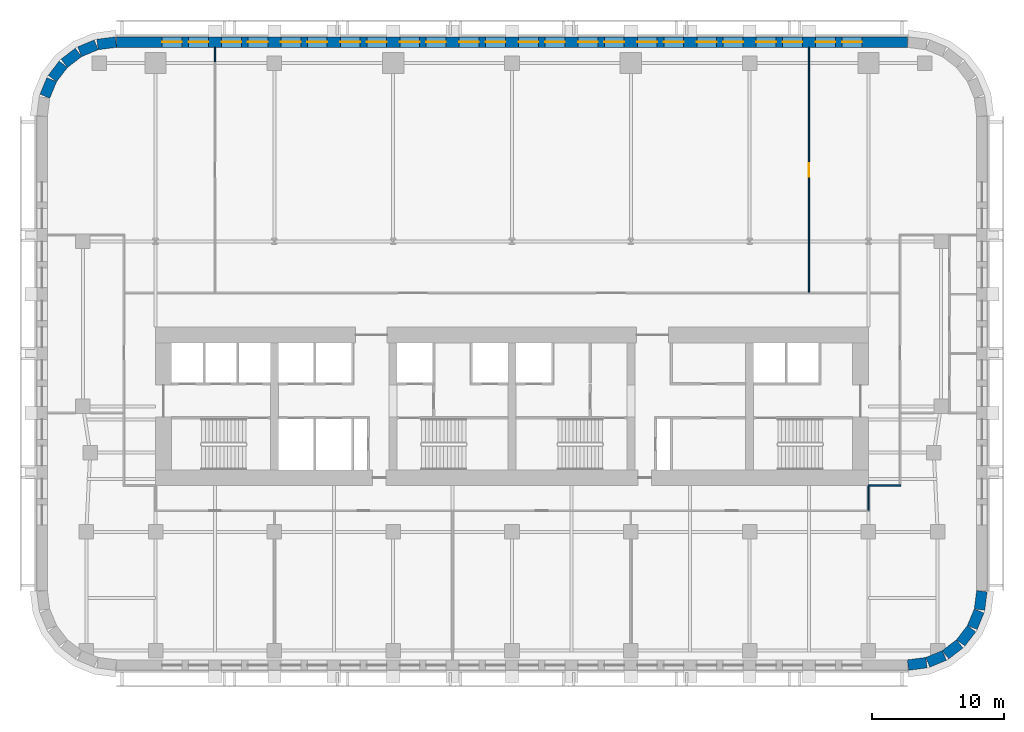
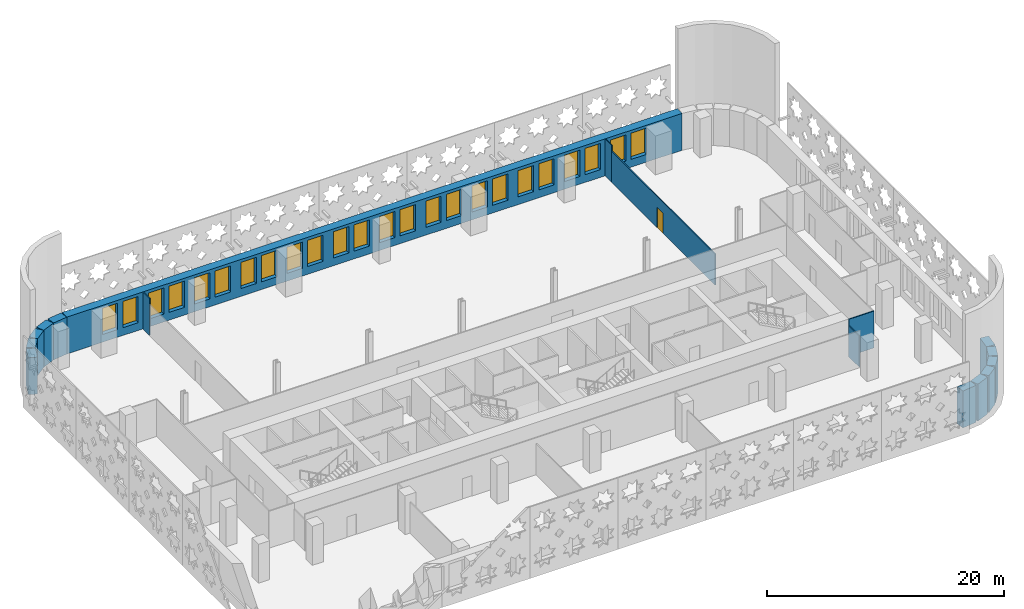
# One storey, part 6 of 13: 24 windows, 17 walls, 1 door, 25 openings.
"""IFC4 building model written with IfcOpenShell, lengths in metres."""

from ifc_helpers import new_model, si_unit, direction, frame, frame_2d, origin, place, context, subcontext, project, spatial, rectangle, extrude, material, layer, layer_set, type_object, element, fill, save


model = new_model("IFC4")

# Units and contexts
model_context = context("Model", 3, precision=1e-05, world=origin(), true_north=direction((0.0, 1.0)))
body_context = subcontext(model_context, "Body", "Model", "MODEL_VIEW")
ifc_project = project(units=[si_unit("LENGTHUNIT", "METRE"), si_unit("AREAUNIT", "SQUARE_METRE"), si_unit("VOLUMEUNIT", "CUBIC_METRE"), si_unit("PLANEANGLEUNIT", "RADIAN"), si_unit("MASSUNIT", "GRAM", prefix="KILO")], contexts=[model_context])

# Site, building, storey
site_placement = place(None, origin())
site = spatial("IfcSite", under=ifc_project, at=site_placement, CompositionType="ELEMENT")
building_placement = place(site_placement, origin())
building = spatial("IfcBuilding", under=site, at=building_placement, Name="Zellij Exchange Tower", CompositionType="ELEMENT")
storey_placement = place(building_placement, frame((0.0, 0.0, 52.5)))
storey = spatial("IfcBuildingStorey", under=building, at=storey_placement, Name="L09", CompositionType="ELEMENT", Elevation=52.5)

# Walls
ifc_material_1 = material(Name="Precast concrete C40/50", Category="concrete")
ifc_layer_1 = layer(ifc_material_1, 0.800048828125)
ifc_layer_set_1 = layer_set([ifc_layer_1], Name="Precast concrete C40/50")
wall_type_1 = type_object("IfcWallType", Name="ENV-EW1 Precast stone-piered wall 800", PredefinedType="SOLIDWALL", material=ifc_layer_set_1)
wall_1_placement = place(storey_placement, frame((29.999755859375, -27.5966796875, 0.0), z_axis=(0.0, 0.0, 1.0), x_axis=(0.99144603414, 0.130517283865, 0.0)))
element("IfcWall", 1, at=wall_1_placement, inside=storey, type_object=wall_type_1, Name="fac.L09.01", PredefinedType="SOLIDWALL", context=body_context, shape_type="SweptSolid", body=[
    extrude(rectangle(XDim=1.408447265625, YDim=0.800048828125, at=frame_2d((0.7041015625, 0.0))), origin(), (0.0, 0.0, 1.0), 3.800048828125),
])
wall_2_placement = place(storey_placement, frame((31.497314453125, -27.3857421875, 0.0), z_axis=(0.0, 0.0, 1.0), x_axis=(0.923847774587, 0.38276009378, 0.0)))
element("IfcWall", 2, at=wall_2_placement, inside=storey, type_object=wall_type_1, Name="fac.L09.02", PredefinedType="SOLIDWALL", context=body_context, shape_type="SweptSolid", body=[
    extrude(rectangle(XDim=1.35546875, YDim=0.800048828125, at=frame_2d((0.677734375, 0.0))), origin(), (0.0, 0.0, 1.0), 3.800048828125),
])
for number, where, z_axis, x_axis, name in (
    (3, (32.840087890625, -26.814697265625, 0.0), (0.0, 0.0, 1.0), (0.793272915452, 0.608866226366, 0.0), "fac.L09.03"),
    (4, (33.9892578125, -25.91552734375, 0.0), (0.0, 0.0, 1.0), (0.608866226366, 0.793272915452, 0.0), "fac.L09.04"),
):
    element("IfcWall", number, at=place(storey_placement, frame(where, z_axis=z_axis, x_axis=x_axis)), inside=storey, type_object=wall_type_1, Name=name, PredefinedType="SOLIDWALL", context=body_context, shape_type="SweptSolid", body=[
        extrude(rectangle(XDim=1.355712890625, YDim=0.800048828125, at=frame_2d((0.677734375, 0.0))), origin(), (0.0, 0.0, 1.0), 3.800048828125),
    ])
wall_3_placement = place(storey_placement, frame((34.866943359375, -24.74951171875, 0.0), z_axis=(0.0, 0.0, 1.0), x_axis=(0.38276009378, 0.923847774587, 0.0)))
element("IfcWall", 5, at=wall_3_placement, inside=storey, type_object=wall_type_1, Name="fac.L09.05", PredefinedType="SOLIDWALL", context=body_context, shape_type="SweptSolid", body=[
    extrude(rectangle(XDim=1.35546875, YDim=0.800048828125, at=frame_2d((0.677734375, 0.0))), origin(), (0.0, 0.0, 1.0), 3.800048828125),
])
wall_4_placement = place(storey_placement, frame((35.412841796875, -23.396240234375, 0.0), z_axis=(0.0, 0.0, 1.0), x_axis=(0.130517283865, 0.99144603414, 0.0)))
element("IfcWall", 6, at=wall_4_placement, inside=storey, type_object=wall_type_1, Name="fac.L09.06", PredefinedType="SOLIDWALL", context=body_context, shape_type="SweptSolid", body=[
    extrude(rectangle(XDim=1.408447265625, YDim=0.800048828125, at=frame_2d((0.7041015625, 0.0))), origin(), (0.0, 0.0, 1.0), 3.800048828125),
])

# Wall, openings, windows
wall_5_placement = place(storey_placement, frame((29.947509765625, 19.60009765625, 0.0), z_axis=(0.0, 0.0, 1.0), x_axis=(-1.0, 0.0, 0.0)))
wall_5 = element("IfcWall", 7, at=wall_5_placement, inside=storey, type_object=wall_type_1, Name="fac.L09.14", PredefinedType="SOLIDWALL", context=body_context, shape_type="SweptSolid", body=[
    extrude(rectangle(XDim=59.89501953125, YDim=0.800048828125, at=frame_2d((29.947509765625, 0.0))), origin(), (0.0, 0.0, 1.0), 3.800048828125),
])
opening_1_placement = place(wall_5_placement, frame((3.447509765625, 0.0, 0.800048828125)))
opening_1 = element("IfcOpeningElement", 8, at=opening_1_placement, cuts=wall_5, Name="Opening FZ1.37", PredefinedType="OPENING", context=body_context, shape_type="SweptSolid", body=[
    extrude(rectangle(XDim=1.5, YDim=2.699951171875, at=frame_2d((0.75, 1.35009765625))), frame((0.0, 0.412109375, 0.0), z_axis=(0.0, -1.0, 0.0), x_axis=(1.0, 0.0, 0.0)), (0.0, 0.0, 1.0), 0.823974609375),
])
opening_2_placement = place(wall_5_placement, frame((5.447509765625, 0.0, 0.800048828125)))
opening_2 = element("IfcOpeningElement", 9, at=opening_2_placement, cuts=wall_5, Name="Opening FZ1.38", PredefinedType="OPENING", context=body_context, shape_type="SweptSolid", body=[
    extrude(rectangle(XDim=1.5, YDim=2.699951171875, at=frame_2d((0.75, 1.35009765625))), frame((0.0, 0.412109375, 0.0), z_axis=(0.0, -1.0, 0.0), x_axis=(1.0, 0.0, 0.0)), (0.0, 0.0, 1.0), 0.823974609375),
])
opening_3_placement = place(wall_5_placement, frame((7.947509765625, 0.0, 0.800048828125)))
opening_3 = element("IfcOpeningElement", 10, at=opening_3_placement, cuts=wall_5, Name="Opening FZ1.39", PredefinedType="OPENING", context=body_context, shape_type="SweptSolid", body=[
    extrude(rectangle(XDim=1.5, YDim=2.699951171875, at=frame_2d((0.75, 1.35009765625))), frame((0.0, 0.412109375, 0.0), z_axis=(0.0, -1.0, 0.0), x_axis=(1.0, 0.0, 0.0)), (0.0, 0.0, 1.0), 0.823974609375),
])
opening_4_placement = place(wall_5_placement, frame((9.947509765625, 0.0, 0.800048828125)))
opening_4 = element("IfcOpeningElement", 11, at=opening_4_placement, cuts=wall_5, Name="Opening FZ1.40", PredefinedType="OPENING", context=body_context, shape_type="SweptSolid", body=[
    extrude(rectangle(XDim=1.5, YDim=2.699951171875, at=frame_2d((0.75, 1.35009765625))), frame((0.0, 0.412109375, 0.0), z_axis=(0.0, -1.0, 0.0), x_axis=(1.0, 0.0, 0.0)), (0.0, 0.0, 1.0), 0.823974609375),
])
opening_5_placement = place(wall_5_placement, frame((12.447509765625, 0.0, 0.800048828125)))
opening_5 = element("IfcOpeningElement", 12, at=opening_5_placement, cuts=wall_5, Name="Opening FZ1.41", PredefinedType="OPENING", context=body_context, shape_type="SweptSolid", body=[
    extrude(rectangle(XDim=1.5, YDim=2.699951171875, at=frame_2d((0.75, 1.35009765625))), frame((0.0, 0.412109375, 0.0), z_axis=(0.0, -1.0, 0.0), x_axis=(1.0, 0.0, 0.0)), (0.0, 0.0, 1.0), 0.823974609375),
])
opening_6_placement = place(wall_5_placement, frame((14.447509765625, 0.0, 0.800048828125)))
opening_6 = element("IfcOpeningElement", 13, at=opening_6_placement, cuts=wall_5, Name="Opening FZ1.42", PredefinedType="OPENING", context=body_context, shape_type="SweptSolid", body=[
    extrude(rectangle(XDim=1.5, YDim=2.699951171875, at=frame_2d((0.75, 1.35009765625))), frame((0.0, 0.412109375, 0.0), z_axis=(0.0, -1.0, 0.0), x_axis=(1.0, 0.0, 0.0)), (0.0, 0.0, 1.0), 0.823974609375),
])
opening_7_placement = place(wall_5_placement, frame((16.947509765625, 0.0, 0.800048828125)))
opening_7 = element("IfcOpeningElement", 14, at=opening_7_placement, cuts=wall_5, Name="Opening FZ1.43", PredefinedType="OPENING", context=body_context, shape_type="SweptSolid", body=[
    extrude(rectangle(XDim=1.5, YDim=2.699951171875, at=frame_2d((0.75, 1.35009765625))), frame((0.0, 0.412109375, 0.0), z_axis=(0.0, -1.0, 0.0), x_axis=(1.0, 0.0, 0.0)), (0.0, 0.0, 1.0), 0.823974609375),
])
opening_8_placement = place(wall_5_placement, frame((18.947509765625, 0.0, 0.800048828125)))
opening_8 = element("IfcOpeningElement", 15, at=opening_8_placement, cuts=wall_5, Name="Opening FZ1.44", PredefinedType="OPENING", context=body_context, shape_type="SweptSolid", body=[
    extrude(rectangle(XDim=1.5, YDim=2.699951171875, at=frame_2d((0.75, 1.35009765625))), frame((0.0, 0.412109375, 0.0), z_axis=(0.0, -1.0, 0.0), x_axis=(1.0, 0.0, 0.0)), (0.0, 0.0, 1.0), 0.823974609375),
])
opening_9_placement = place(wall_5_placement, frame((21.447509765625, 0.0, 0.800048828125)))
opening_9 = element("IfcOpeningElement", 16, at=opening_9_placement, cuts=wall_5, Name="Opening FZ1.45", PredefinedType="OPENING", context=body_context, shape_type="SweptSolid", body=[
    extrude(rectangle(XDim=1.5, YDim=2.699951171875, at=frame_2d((0.75, 1.35009765625))), frame((0.0, 0.412109375, 0.0), z_axis=(0.0, -1.0, 0.0), x_axis=(1.0, 0.0, 0.0)), (0.0, 0.0, 1.0), 0.823974609375),
])
opening_10_placement = place(wall_5_placement, frame((23.447509765625, 0.0, 0.800048828125)))
opening_10 = element("IfcOpeningElement", 17, at=opening_10_placement, cuts=wall_5, Name="Opening FZ1.46", PredefinedType="OPENING", context=body_context, shape_type="SweptSolid", body=[
    extrude(rectangle(XDim=1.5, YDim=2.699951171875, at=frame_2d((0.75, 1.35009765625))), frame((0.0, 0.412109375, 0.0), z_axis=(0.0, -1.0, 0.0), x_axis=(1.0, 0.0, 0.0)), (0.0, 0.0, 1.0), 0.823974609375),
])
opening_11_placement = place(wall_5_placement, frame((25.947509765625, 0.0, 0.800048828125)))
opening_11 = element("IfcOpeningElement", 18, at=opening_11_placement, cuts=wall_5, Name="Opening FZ1.47", PredefinedType="OPENING", context=body_context, shape_type="SweptSolid", body=[
    extrude(rectangle(XDim=1.5, YDim=2.699951171875, at=frame_2d((0.75, 1.35009765625))), frame((0.0, 0.412109375, 0.0), z_axis=(0.0, -1.0, 0.0), x_axis=(1.0, 0.0, 0.0)), (0.0, 0.0, 1.0), 0.823974609375),
])
opening_12_placement = place(wall_5_placement, frame((27.947509765625, 0.0, 0.800048828125)))
opening_12 = element("IfcOpeningElement", 19, at=opening_12_placement, cuts=wall_5, Name="Opening FZ1.48", PredefinedType="OPENING", context=body_context, shape_type="SweptSolid", body=[
    extrude(rectangle(XDim=1.5, YDim=2.699951171875, at=frame_2d((0.75, 1.35009765625))), frame((0.0, 0.412109375, 0.0), z_axis=(0.0, -1.0, 0.0), x_axis=(1.0, 0.0, 0.0)), (0.0, 0.0, 1.0), 0.823974609375),
])
opening_13_placement = place(wall_5_placement, frame((30.447509765625, 0.0, 0.800048828125)))
opening_13 = element("IfcOpeningElement", 20, at=opening_13_placement, cuts=wall_5, Name="Opening FZ1.49", PredefinedType="OPENING", context=body_context, shape_type="SweptSolid", body=[
    extrude(rectangle(XDim=1.5, YDim=2.699951171875, at=frame_2d((0.75, 1.35009765625))), frame((0.0, 0.412109375, 0.0), z_axis=(0.0, -1.0, 0.0), x_axis=(1.0, 0.0, 0.0)), (0.0, 0.0, 1.0), 0.823974609375),
])
opening_14_placement = place(wall_5_placement, frame((32.447509765625, 0.0, 0.800048828125)))
opening_14 = element("IfcOpeningElement", 21, at=opening_14_placement, cuts=wall_5, Name="Opening FZ1.50", PredefinedType="OPENING", context=body_context, shape_type="SweptSolid", body=[
    extrude(rectangle(XDim=1.5, YDim=2.699951171875, at=frame_2d((0.75, 1.35009765625))), frame((0.0, 0.412109375, 0.0), z_axis=(0.0, -1.0, 0.0), x_axis=(1.0, 0.0, 0.0)), (0.0, 0.0, 1.0), 0.823974609375),
])
opening_15_placement = place(wall_5_placement, frame((34.947509765625, 0.0, 0.800048828125)))
opening_15 = element("IfcOpeningElement", 22, at=opening_15_placement, cuts=wall_5, Name="Opening FZ1.51", PredefinedType="OPENING", context=body_context, shape_type="SweptSolid", body=[
    extrude(rectangle(XDim=1.5, YDim=2.699951171875, at=frame_2d((0.75, 1.35009765625))), frame((0.0, 0.412109375, 0.0), z_axis=(0.0, -1.0, 0.0), x_axis=(1.0, 0.0, 0.0)), (0.0, 0.0, 1.0), 0.823974609375),
])
opening_16_placement = place(wall_5_placement, frame((36.947509765625, 0.0, 0.800048828125)))
opening_16 = element("IfcOpeningElement", 23, at=opening_16_placement, cuts=wall_5, Name="Opening FZ1.52", PredefinedType="OPENING", context=body_context, shape_type="SweptSolid", body=[
    extrude(rectangle(XDim=1.5, YDim=2.699951171875, at=frame_2d((0.75, 1.35009765625))), frame((0.0, 0.412109375, 0.0), z_axis=(0.0, -1.0, 0.0), x_axis=(1.0, 0.0, 0.0)), (0.0, 0.0, 1.0), 0.823974609375),
])
opening_17_placement = place(wall_5_placement, frame((39.447509765625, 0.0, 0.800048828125)))
opening_17 = element("IfcOpeningElement", 24, at=opening_17_placement, cuts=wall_5, Name="Opening FZ1.53", PredefinedType="OPENING", context=body_context, shape_type="SweptSolid", body=[
    extrude(rectangle(XDim=1.5, YDim=2.699951171875, at=frame_2d((0.75, 1.35009765625))), frame((0.0, 0.412109375, 0.0), z_axis=(0.0, -1.0, 0.0), x_axis=(1.0, 0.0, 0.0)), (0.0, 0.0, 1.0), 0.823974609375),
])
opening_18_placement = place(wall_5_placement, frame((41.447509765625, 0.0, 0.800048828125)))
opening_18 = element("IfcOpeningElement", 25, at=opening_18_placement, cuts=wall_5, Name="Opening FZ1.54", PredefinedType="OPENING", context=body_context, shape_type="SweptSolid", body=[
    extrude(rectangle(XDim=1.5, YDim=2.699951171875, at=frame_2d((0.75, 1.35009765625))), frame((0.0, 0.412109375, 0.0), z_axis=(0.0, -1.0, 0.0), x_axis=(1.0, 0.0, 0.0)), (0.0, 0.0, 1.0), 0.823974609375),
])
opening_19_placement = place(wall_5_placement, frame((43.947509765625, 0.0, 0.800048828125)))
opening_19 = element("IfcOpeningElement", 26, at=opening_19_placement, cuts=wall_5, Name="Opening FZ1.55", PredefinedType="OPENING", context=body_context, shape_type="SweptSolid", body=[
    extrude(rectangle(XDim=1.5, YDim=2.699951171875, at=frame_2d((0.75, 1.35009765625))), frame((0.0, 0.412109375, 0.0), z_axis=(0.0, -1.0, 0.0), x_axis=(1.0, 0.0, 0.0)), (0.0, 0.0, 1.0), 0.823974609375),
])
opening_20_placement = place(wall_5_placement, frame((45.947509765625, 0.0, 0.800048828125)))
opening_20 = element("IfcOpeningElement", 27, at=opening_20_placement, cuts=wall_5, Name="Opening FZ1.56", PredefinedType="OPENING", context=body_context, shape_type="SweptSolid", body=[
    extrude(rectangle(XDim=1.5, YDim=2.699951171875, at=frame_2d((0.75, 1.35009765625))), frame((0.0, 0.412109375, 0.0), z_axis=(0.0, -1.0, 0.0), x_axis=(1.0, 0.0, 0.0)), (0.0, 0.0, 1.0), 0.823974609375),
])
opening_21_placement = place(wall_5_placement, frame((48.447509765625, 0.0, 0.800048828125)))
opening_21 = element("IfcOpeningElement", 28, at=opening_21_placement, cuts=wall_5, Name="Opening FZ1.57", PredefinedType="OPENING", context=body_context, shape_type="SweptSolid", body=[
    extrude(rectangle(XDim=1.5, YDim=2.699951171875, at=frame_2d((0.75, 1.35009765625))), frame((0.0, 0.412109375, 0.0), z_axis=(0.0, -1.0, 0.0), x_axis=(1.0, 0.0, 0.0)), (0.0, 0.0, 1.0), 0.823974609375),
])
opening_22_placement = place(wall_5_placement, frame((50.447509765625, 0.0, 0.800048828125)))
opening_22 = element("IfcOpeningElement", 29, at=opening_22_placement, cuts=wall_5, Name="Opening FZ1.58", PredefinedType="OPENING", context=body_context, shape_type="SweptSolid", body=[
    extrude(rectangle(XDim=1.5, YDim=2.699951171875, at=frame_2d((0.75, 1.35009765625))), frame((0.0, 0.412109375, 0.0), z_axis=(0.0, -1.0, 0.0), x_axis=(1.0, 0.0, 0.0)), (0.0, 0.0, 1.0), 0.823974609375),
])
opening_23_placement = place(wall_5_placement, frame((52.947509765625, 0.0, 0.800048828125)))
opening_23 = element("IfcOpeningElement", 30, at=opening_23_placement, cuts=wall_5, Name="Opening FZ1.59", PredefinedType="OPENING", context=body_context, shape_type="SweptSolid", body=[
    extrude(rectangle(XDim=1.5, YDim=2.699951171875, at=frame_2d((0.75, 1.35009765625))), frame((0.0, 0.412109375, 0.0), z_axis=(0.0, -1.0, 0.0), x_axis=(1.0, 0.0, 0.0)), (0.0, 0.0, 1.0), 0.823974609375),
])
opening_24_placement = place(wall_5_placement, frame((54.947509765625, 0.0, 0.800048828125)))
opening_24 = element("IfcOpeningElement", 31, at=opening_24_placement, cuts=wall_5, Name="Opening FZ1.60", PredefinedType="OPENING", context=body_context, shape_type="SweptSolid", body=[
    extrude(rectangle(XDim=1.5, YDim=2.699951171875, at=frame_2d((0.75, 1.35009765625))), frame((0.0, 0.412109375, 0.0), z_axis=(0.0, -1.0, 0.0), x_axis=(1.0, 0.0, 0.0)), (0.0, 0.0, 1.0), 0.823974609375),
])
ifc_material_2 = material(Name="Aluminium frame with insulating glass", Category="aluminium")
window_type = type_object("IfcWindowType", Name="ENV-W6 Window 1500x2700", PartitioningType="SINGLE_PANEL", PredefinedType="WINDOW", material=ifc_material_2)
window_1_placement = place(opening_1_placement, origin())
window_1 = element("IfcWindow", 32, at=window_1_placement, inside=storey, type_object=window_type, Name="Window FZ1.37", OverallHeight=2.699951171875, OverallWidth=1.5, PartitioningType="SINGLE_PANEL", PredefinedType="WINDOW", context=body_context, shape_type="SweptSolid", body=[
    extrude(rectangle(XDim=1.5, YDim=2.699951171875, at=frame_2d((0.75, 1.35009765625))), frame((0.0, 0.030029296875, 0.0), z_axis=(0.0, -1.0, 0.0), x_axis=(1.0, 0.0, 0.0)), (0.0, 0.0, 1.0), 0.06005859375),
])
fill(opening_1, window_1)
window_2_placement = place(opening_2_placement, origin())
window_2 = element("IfcWindow", 33, at=window_2_placement, inside=storey, type_object=window_type, Name="Window FZ1.38", OverallHeight=2.699951171875, OverallWidth=1.5, PartitioningType="SINGLE_PANEL", PredefinedType="WINDOW", context=body_context, shape_type="SweptSolid", body=[
    extrude(rectangle(XDim=1.5, YDim=2.699951171875, at=frame_2d((0.75, 1.35009765625))), frame((0.0, 0.030029296875, 0.0), z_axis=(0.0, -1.0, 0.0), x_axis=(1.0, 0.0, 0.0)), (0.0, 0.0, 1.0), 0.06005859375),
])
fill(opening_2, window_2)
window_3_placement = place(opening_3_placement, origin())
window_3 = element("IfcWindow", 34, at=window_3_placement, inside=storey, type_object=window_type, Name="Window FZ1.39", OverallHeight=2.699951171875, OverallWidth=1.5, PartitioningType="SINGLE_PANEL", PredefinedType="WINDOW", context=body_context, shape_type="SweptSolid", body=[
    extrude(rectangle(XDim=1.5, YDim=2.699951171875, at=frame_2d((0.75, 1.35009765625))), frame((0.0, 0.030029296875, 0.0), z_axis=(0.0, -1.0, 0.0), x_axis=(1.0, 0.0, 0.0)), (0.0, 0.0, 1.0), 0.06005859375),
])
fill(opening_3, window_3)
window_4_placement = place(opening_4_placement, origin())
window_4 = element("IfcWindow", 35, at=window_4_placement, inside=storey, type_object=window_type, Name="Window FZ1.40", OverallHeight=2.699951171875, OverallWidth=1.5, PartitioningType="SINGLE_PANEL", PredefinedType="WINDOW", context=body_context, shape_type="SweptSolid", body=[
    extrude(rectangle(XDim=1.5, YDim=2.699951171875, at=frame_2d((0.75, 1.35009765625))), frame((0.0, 0.030029296875, 0.0), z_axis=(0.0, -1.0, 0.0), x_axis=(1.0, 0.0, 0.0)), (0.0, 0.0, 1.0), 0.06005859375),
])
fill(opening_4, window_4)
window_5_placement = place(opening_5_placement, origin())
window_5 = element("IfcWindow", 36, at=window_5_placement, inside=storey, type_object=window_type, Name="Window FZ1.41", OverallHeight=2.699951171875, OverallWidth=1.5, PartitioningType="SINGLE_PANEL", PredefinedType="WINDOW", context=body_context, shape_type="SweptSolid", body=[
    extrude(rectangle(XDim=1.5, YDim=2.699951171875, at=frame_2d((0.75, 1.35009765625))), frame((0.0, 0.030029296875, 0.0), z_axis=(0.0, -1.0, 0.0), x_axis=(1.0, 0.0, 0.0)), (0.0, 0.0, 1.0), 0.06005859375),
])
fill(opening_5, window_5)
window_6_placement = place(opening_6_placement, origin())
window_6 = element("IfcWindow", 37, at=window_6_placement, inside=storey, type_object=window_type, Name="Window FZ1.42", OverallHeight=2.699951171875, OverallWidth=1.5, PartitioningType="SINGLE_PANEL", PredefinedType="WINDOW", context=body_context, shape_type="SweptSolid", body=[
    extrude(rectangle(XDim=1.5, YDim=2.699951171875, at=frame_2d((0.75, 1.35009765625))), frame((0.0, 0.030029296875, 0.0), z_axis=(0.0, -1.0, 0.0), x_axis=(1.0, 0.0, 0.0)), (0.0, 0.0, 1.0), 0.06005859375),
])
fill(opening_6, window_6)
window_7_placement = place(opening_7_placement, origin())
window_7 = element("IfcWindow", 38, at=window_7_placement, inside=storey, type_object=window_type, Name="Window FZ1.43", OverallHeight=2.699951171875, OverallWidth=1.5, PartitioningType="SINGLE_PANEL", PredefinedType="WINDOW", context=body_context, shape_type="SweptSolid", body=[
    extrude(rectangle(XDim=1.5, YDim=2.699951171875, at=frame_2d((0.75, 1.35009765625))), frame((0.0, 0.030029296875, 0.0), z_axis=(0.0, -1.0, 0.0), x_axis=(1.0, 0.0, 0.0)), (0.0, 0.0, 1.0), 0.06005859375),
])
fill(opening_7, window_7)
window_8_placement = place(opening_8_placement, origin())
window_8 = element("IfcWindow", 39, at=window_8_placement, inside=storey, type_object=window_type, Name="Window FZ1.44", OverallHeight=2.699951171875, OverallWidth=1.5, PartitioningType="SINGLE_PANEL", PredefinedType="WINDOW", context=body_context, shape_type="SweptSolid", body=[
    extrude(rectangle(XDim=1.5, YDim=2.699951171875, at=frame_2d((0.75, 1.35009765625))), frame((0.0, 0.030029296875, 0.0), z_axis=(0.0, -1.0, 0.0), x_axis=(1.0, 0.0, 0.0)), (0.0, 0.0, 1.0), 0.06005859375),
])
fill(opening_8, window_8)
window_9_placement = place(opening_9_placement, origin())
window_9 = element("IfcWindow", 40, at=window_9_placement, inside=storey, type_object=window_type, Name="Window FZ1.45", OverallHeight=2.699951171875, OverallWidth=1.5, PartitioningType="SINGLE_PANEL", PredefinedType="WINDOW", context=body_context, shape_type="SweptSolid", body=[
    extrude(rectangle(XDim=1.5, YDim=2.699951171875, at=frame_2d((0.75, 1.35009765625))), frame((0.0, 0.030029296875, 0.0), z_axis=(0.0, -1.0, 0.0), x_axis=(1.0, 0.0, 0.0)), (0.0, 0.0, 1.0), 0.06005859375),
])
fill(opening_9, window_9)
window_10_placement = place(opening_10_placement, origin())
window_10 = element("IfcWindow", 41, at=window_10_placement, inside=storey, type_object=window_type, Name="Window FZ1.46", OverallHeight=2.699951171875, OverallWidth=1.5, PartitioningType="SINGLE_PANEL", PredefinedType="WINDOW", context=body_context, shape_type="SweptSolid", body=[
    extrude(rectangle(XDim=1.5, YDim=2.699951171875, at=frame_2d((0.75, 1.35009765625))), frame((0.0, 0.030029296875, 0.0), z_axis=(0.0, -1.0, 0.0), x_axis=(1.0, 0.0, 0.0)), (0.0, 0.0, 1.0), 0.06005859375),
])
fill(opening_10, window_10)
window_11_placement = place(opening_11_placement, origin())
window_11 = element("IfcWindow", 42, at=window_11_placement, inside=storey, type_object=window_type, Name="Window FZ1.47", OverallHeight=2.699951171875, OverallWidth=1.5, PartitioningType="SINGLE_PANEL", PredefinedType="WINDOW", context=body_context, shape_type="SweptSolid", body=[
    extrude(rectangle(XDim=1.5, YDim=2.699951171875, at=frame_2d((0.75, 1.35009765625))), frame((0.0, 0.030029296875, 0.0), z_axis=(0.0, -1.0, 0.0), x_axis=(1.0, 0.0, 0.0)), (0.0, 0.0, 1.0), 0.06005859375),
])
fill(opening_11, window_11)
window_12_placement = place(opening_12_placement, origin())
window_12 = element("IfcWindow", 43, at=window_12_placement, inside=storey, type_object=window_type, Name="Window FZ1.48", OverallHeight=2.699951171875, OverallWidth=1.5, PartitioningType="SINGLE_PANEL", PredefinedType="WINDOW", context=body_context, shape_type="SweptSolid", body=[
    extrude(rectangle(XDim=1.5, YDim=2.699951171875, at=frame_2d((0.75, 1.35009765625))), frame((0.0, 0.030029296875, 0.0), z_axis=(0.0, -1.0, 0.0), x_axis=(1.0, 0.0, 0.0)), (0.0, 0.0, 1.0), 0.06005859375),
])
fill(opening_12, window_12)
window_13_placement = place(opening_13_placement, origin())
window_13 = element("IfcWindow", 44, at=window_13_placement, inside=storey, type_object=window_type, Name="Window FZ1.49", OverallHeight=2.699951171875, OverallWidth=1.5, PartitioningType="SINGLE_PANEL", PredefinedType="WINDOW", context=body_context, shape_type="SweptSolid", body=[
    extrude(rectangle(XDim=1.5, YDim=2.699951171875, at=frame_2d((0.75, 1.35009765625))), frame((0.0, 0.030029296875, 0.0), z_axis=(0.0, -1.0, 0.0), x_axis=(1.0, 0.0, 0.0)), (0.0, 0.0, 1.0), 0.06005859375),
])
fill(opening_13, window_13)
window_14_placement = place(opening_14_placement, origin())
window_14 = element("IfcWindow", 45, at=window_14_placement, inside=storey, type_object=window_type, Name="Window FZ1.50", OverallHeight=2.699951171875, OverallWidth=1.5, PartitioningType="SINGLE_PANEL", PredefinedType="WINDOW", context=body_context, shape_type="SweptSolid", body=[
    extrude(rectangle(XDim=1.5, YDim=2.699951171875, at=frame_2d((0.75, 1.35009765625))), frame((0.0, 0.030029296875, 0.0), z_axis=(0.0, -1.0, 0.0), x_axis=(1.0, 0.0, 0.0)), (0.0, 0.0, 1.0), 0.06005859375),
])
fill(opening_14, window_14)
window_15_placement = place(opening_15_placement, origin())
window_15 = element("IfcWindow", 46, at=window_15_placement, inside=storey, type_object=window_type, Name="Window FZ1.51", OverallHeight=2.699951171875, OverallWidth=1.5, PartitioningType="SINGLE_PANEL", PredefinedType="WINDOW", context=body_context, shape_type="SweptSolid", body=[
    extrude(rectangle(XDim=1.5, YDim=2.699951171875, at=frame_2d((0.75, 1.35009765625))), frame((0.0, 0.030029296875, 0.0), z_axis=(0.0, -1.0, 0.0), x_axis=(1.0, 0.0, 0.0)), (0.0, 0.0, 1.0), 0.06005859375),
])
fill(opening_15, window_15)
window_16_placement = place(opening_16_placement, origin())
window_16 = element("IfcWindow", 47, at=window_16_placement, inside=storey, type_object=window_type, Name="Window FZ1.52", OverallHeight=2.699951171875, OverallWidth=1.5, PartitioningType="SINGLE_PANEL", PredefinedType="WINDOW", context=body_context, shape_type="SweptSolid", body=[
    extrude(rectangle(XDim=1.5, YDim=2.699951171875, at=frame_2d((0.75, 1.35009765625))), frame((0.0, 0.030029296875, 0.0), z_axis=(0.0, -1.0, 0.0), x_axis=(1.0, 0.0, 0.0)), (0.0, 0.0, 1.0), 0.06005859375),
])
fill(opening_16, window_16)
window_17_placement = place(opening_17_placement, origin())
window_17 = element("IfcWindow", 48, at=window_17_placement, inside=storey, type_object=window_type, Name="Window FZ1.53", OverallHeight=2.699951171875, OverallWidth=1.5, PartitioningType="SINGLE_PANEL", PredefinedType="WINDOW", context=body_context, shape_type="SweptSolid", body=[
    extrude(rectangle(XDim=1.5, YDim=2.699951171875, at=frame_2d((0.75, 1.35009765625))), frame((0.0, 0.030029296875, 0.0), z_axis=(0.0, -1.0, 0.0), x_axis=(1.0, 0.0, 0.0)), (0.0, 0.0, 1.0), 0.06005859375),
])
fill(opening_17, window_17)
window_18_placement = place(opening_18_placement, origin())
window_18 = element("IfcWindow", 49, at=window_18_placement, inside=storey, type_object=window_type, Name="Window FZ1.54", OverallHeight=2.699951171875, OverallWidth=1.5, PartitioningType="SINGLE_PANEL", PredefinedType="WINDOW", context=body_context, shape_type="SweptSolid", body=[
    extrude(rectangle(XDim=1.5, YDim=2.699951171875, at=frame_2d((0.75, 1.35009765625))), frame((0.0, 0.030029296875, 0.0), z_axis=(0.0, -1.0, 0.0), x_axis=(1.0, 0.0, 0.0)), (0.0, 0.0, 1.0), 0.06005859375),
])
fill(opening_18, window_18)
window_19_placement = place(opening_19_placement, origin())
window_19 = element("IfcWindow", 50, at=window_19_placement, inside=storey, type_object=window_type, Name="Window FZ1.55", OverallHeight=2.699951171875, OverallWidth=1.5, PartitioningType="SINGLE_PANEL", PredefinedType="WINDOW", context=body_context, shape_type="SweptSolid", body=[
    extrude(rectangle(XDim=1.5, YDim=2.699951171875, at=frame_2d((0.75, 1.35009765625))), frame((0.0, 0.030029296875, 0.0), z_axis=(0.0, -1.0, 0.0), x_axis=(1.0, 0.0, 0.0)), (0.0, 0.0, 1.0), 0.06005859375),
])
fill(opening_19, window_19)
window_20_placement = place(opening_20_placement, origin())
window_20 = element("IfcWindow", 51, at=window_20_placement, inside=storey, type_object=window_type, Name="Window FZ1.56", OverallHeight=2.699951171875, OverallWidth=1.5, PartitioningType="SINGLE_PANEL", PredefinedType="WINDOW", context=body_context, shape_type="SweptSolid", body=[
    extrude(rectangle(XDim=1.5, YDim=2.699951171875, at=frame_2d((0.75, 1.35009765625))), frame((0.0, 0.030029296875, 0.0), z_axis=(0.0, -1.0, 0.0), x_axis=(1.0, 0.0, 0.0)), (0.0, 0.0, 1.0), 0.06005859375),
])
fill(opening_20, window_20)
window_21_placement = place(opening_21_placement, origin())
window_21 = element("IfcWindow", 52, at=window_21_placement, inside=storey, type_object=window_type, Name="Window FZ1.57", OverallHeight=2.699951171875, OverallWidth=1.5, PartitioningType="SINGLE_PANEL", PredefinedType="WINDOW", context=body_context, shape_type="SweptSolid", body=[
    extrude(rectangle(XDim=1.5, YDim=2.699951171875, at=frame_2d((0.75, 1.35009765625))), frame((0.0, 0.030029296875, 0.0), z_axis=(0.0, -1.0, 0.0), x_axis=(1.0, 0.0, 0.0)), (0.0, 0.0, 1.0), 0.06005859375),
])
fill(opening_21, window_21)
window_22_placement = place(opening_22_placement, origin())
window_22 = element("IfcWindow", 53, at=window_22_placement, inside=storey, type_object=window_type, Name="Window FZ1.58", OverallHeight=2.699951171875, OverallWidth=1.5, PartitioningType="SINGLE_PANEL", PredefinedType="WINDOW", context=body_context, shape_type="SweptSolid", body=[
    extrude(rectangle(XDim=1.5, YDim=2.699951171875, at=frame_2d((0.75, 1.35009765625))), frame((0.0, 0.030029296875, 0.0), z_axis=(0.0, -1.0, 0.0), x_axis=(1.0, 0.0, 0.0)), (0.0, 0.0, 1.0), 0.06005859375),
])
fill(opening_22, window_22)
window_23_placement = place(opening_23_placement, origin())
window_23 = element("IfcWindow", 54, at=window_23_placement, inside=storey, type_object=window_type, Name="Window FZ1.59", OverallHeight=2.699951171875, OverallWidth=1.5, PartitioningType="SINGLE_PANEL", PredefinedType="WINDOW", context=body_context, shape_type="SweptSolid", body=[
    extrude(rectangle(XDim=1.5, YDim=2.699951171875, at=frame_2d((0.75, 1.35009765625))), frame((0.0, 0.030029296875, 0.0), z_axis=(0.0, -1.0, 0.0), x_axis=(1.0, 0.0, 0.0)), (0.0, 0.0, 1.0), 0.06005859375),
])
fill(opening_23, window_23)
window_24_placement = place(opening_24_placement, origin())
window_24 = element("IfcWindow", 55, at=window_24_placement, inside=storey, type_object=window_type, Name="Window FZ1.60", OverallHeight=2.699951171875, OverallWidth=1.5, PartitioningType="SINGLE_PANEL", PredefinedType="WINDOW", context=body_context, shape_type="SweptSolid", body=[
    extrude(rectangle(XDim=1.5, YDim=2.699951171875, at=frame_2d((0.75, 1.35009765625))), frame((0.0, 0.030029296875, 0.0), z_axis=(0.0, -1.0, 0.0), x_axis=(1.0, 0.0, 0.0)), (0.0, 0.0, 1.0), 0.06005859375),
])
fill(opening_24, window_24)

# Walls
wall_6_placement = place(storey_placement, frame((-29.999755859375, 19.5966796875, 0.0), z_axis=(0.0, 0.0, 1.0), x_axis=(-0.99144603414, -0.130517283865, 0.0)))
element("IfcWall", 56, at=wall_6_placement, inside=storey, type_object=wall_type_1, Name="fac.L09.15", PredefinedType="SOLIDWALL", context=body_context, shape_type="SweptSolid", body=[
    extrude(rectangle(XDim=1.408447265625, YDim=0.800048828125, at=frame_2d((0.7041015625, 0.0))), origin(), (0.0, 0.0, 1.0), 3.800048828125),
])
wall_7_placement = place(storey_placement, frame((-31.497314453125, 19.3857421875, 0.0), z_axis=(0.0, 0.0, 1.0), x_axis=(-0.923847774587, -0.38276009378, 0.0)))
element("IfcWall", 57, at=wall_7_placement, inside=storey, type_object=wall_type_1, Name="fac.L09.16", PredefinedType="SOLIDWALL", context=body_context, shape_type="SweptSolid", body=[
    extrude(rectangle(XDim=1.35546875, YDim=0.800048828125, at=frame_2d((0.677734375, 0.0))), origin(), (0.0, 0.0, 1.0), 3.800048828125),
])
for number, where, z_axis, x_axis, name in (
    (58, (-32.840087890625, 18.814697265625, 0.0), (0.0, 0.0, 1.0), (-0.793272915452, -0.608866226366, 0.0), "fac.L09.17"),
    (59, (-33.9892578125, 17.91552734375, 0.0), (0.0, 0.0, 1.0), (-0.608866226366, -0.793272915452, 0.0), "fac.L09.18"),
):
    element("IfcWall", number, at=place(storey_placement, frame(where, z_axis=z_axis, x_axis=x_axis)), inside=storey, type_object=wall_type_1, Name=name, PredefinedType="SOLIDWALL", context=body_context, shape_type="SweptSolid", body=[
        extrude(rectangle(XDim=1.355712890625, YDim=0.800048828125, at=frame_2d((0.677734375, 0.0))), origin(), (0.0, 0.0, 1.0), 3.800048828125),
    ])
wall_8_placement = place(storey_placement, frame((-34.866943359375, 16.74951171875, 0.0), z_axis=(0.0, 0.0, 1.0), x_axis=(-0.38276009378, -0.923847774587, 0.0)))
element("IfcWall", 60, at=wall_8_placement, inside=storey, type_object=wall_type_1, Name="fac.L09.19", PredefinedType="SOLIDWALL", context=body_context, shape_type="SweptSolid", body=[
    extrude(rectangle(XDim=1.35546875, YDim=0.800048828125, at=frame_2d((0.677734375, 0.0))), origin(), (0.0, 0.0, 1.0), 3.800048828125),
])
ifc_material_3 = material(Name="Gypsum board partition on steel studs", Category="steel")
ifc_layer_2 = layer(ifc_material_3, 0.10009765625)
ifc_layer_set_2 = layer_set([ifc_layer_2], Name="Gypsum board partition on steel studs")
wall_type_2 = type_object("IfcWallType", Name="FIT-PARTITION-100", PredefinedType="PARTITIONING", material=ifc_layer_set_2)
wall_9_placement = place(storey_placement, frame((27.0, -15.85009765625, 0.0), z_axis=(0.0, 0.0, 1.0), x_axis=(0.0, 1.0, 0.0)))
element("IfcWall", 61, at=wall_9_placement, inside=storey, type_object=wall_type_2, Name="FIT-PARTITION-100 009", PredefinedType="PARTITIONING", context=body_context, shape_type="SweptSolid", body=[
    extrude(rectangle(XDim=1.800048828125, YDim=0.10009765625, at=frame_2d((0.89990234375, 0.0))), origin(), (0.0, 0.0, 1.0), 3.18798828125),
])
wall_10_placement = place(storey_placement, frame((27.0, -14.0, 0.0), z_axis=(0.0, 0.0, 1.0), x_axis=(1.0, 0.0, 0.0)))
element("IfcWall", 62, at=wall_10_placement, inside=storey, type_object=wall_type_2, Name="FIT-PARTITION-100 012", PredefinedType="PARTITIONING", context=body_context, shape_type="SweptSolid", body=[
    extrude(rectangle(XDim=2.449951171875, YDim=0.10009765625, at=frame_2d((1.22509765625, 0.0))), origin(), (0.0, 0.0, 1.0), 3.800048828125),
])
wall_11_placement = place(storey_placement, frame((-22.5, 18.114501953125, 0.0), z_axis=(0.0, 0.0, 1.0), x_axis=(0.0, 1.0, 0.0)))
element("IfcWall", 63, at=wall_11_placement, inside=storey, type_object=wall_type_2, Name="FIT-PARTITION-100 023", PredefinedType="PARTITIONING", context=body_context, shape_type="SweptSolid", body=[
    extrude(rectangle(XDim=1.08544921875, YDim=0.10009765625, at=frame_2d((0.542724609375, 0.0))), origin(), (0.0, 0.0, 1.0), 3.800048828125),
])

# Wall, opening, door
wall_12_placement = place(storey_placement, frame((22.5, 0.64990234375, 0.0), z_axis=(0.0, 0.0, 1.0), x_axis=(0.0, 1.0, 0.0)))
wall_12 = element("IfcWall", 64, at=wall_12_placement, inside=storey, type_object=wall_type_2, Name="FIT-PARTITION-100 024", PredefinedType="PARTITIONING", context=body_context, shape_type="SweptSolid", body=[
    extrude(rectangle(XDim=17.464599609375, YDim=0.10009765625, at=frame_2d((8.732421875, 0.0))), origin(), (0.0, 0.0, 1.0), 3.197998046875),
])
opening_25_placement = place(wall_12_placement, frame((8.75, 0.0, 0.0)))
opening_25 = element("IfcOpeningElement", 65, at=opening_25_placement, cuts=wall_12, Name="Opening TA.13", PredefinedType="OPENING", context=body_context, shape_type="SweptSolid", body=[
    extrude(rectangle(XDim=1.0, YDim=2.10009765625, at=frame_2d((0.5, 1.050048828125))), frame((0.0, 0.06201171875, 0.0), z_axis=(0.0, -1.0, 0.0), x_axis=(1.0, 0.0, 0.0)), (0.0, 0.0, 1.0), 0.1240234375),
])
ifc_material_4 = material(Name="Timber door set", Category="wood")
door_type = type_object("IfcDoorType", Name="FIT-D2-WIDE-1000X2100", OperationType="SINGLE_SWING_LEFT", PredefinedType="DOOR", material=ifc_material_4)
door_placement = place(opening_25_placement, origin())
door = element("IfcDoor", 66, at=door_placement, inside=storey, type_object=door_type, Name="Door TA.13", OperationType="SINGLE_SWING_RIGHT", OverallHeight=2.10009765625, OverallWidth=1.0, PredefinedType="DOOR", context=body_context, shape_type="SweptSolid", body=[
    extrude(rectangle(XDim=1.0, YDim=2.10009765625, at=frame_2d((0.5, 1.050048828125))), frame((0.0, 0.02490234375, 0.0), z_axis=(0.0, -1.0, 0.0), x_axis=(1.0, 0.0, 0.0)), (0.0, 0.0, 1.0), 0.050048828125),
])
fill(opening_25, door)

# Wall
wall_13_placement = place(storey_placement, frame((22.5, 18.114501953125, 0.0), z_axis=(0.0, 0.0, 1.0), x_axis=(0.0, 1.0, 0.0)))
element("IfcWall", 67, at=wall_13_placement, inside=storey, type_object=wall_type_2, Name="FIT-PARTITION-100 025", PredefinedType="PARTITIONING", context=body_context, shape_type="SweptSolid", body=[
    extrude(rectangle(XDim=1.08544921875, YDim=0.10009765625, at=frame_2d((0.542724609375, 0.0))), origin(), (0.0, 0.0, 1.0), 3.800048828125),
])

save(model, "model.ifc")
